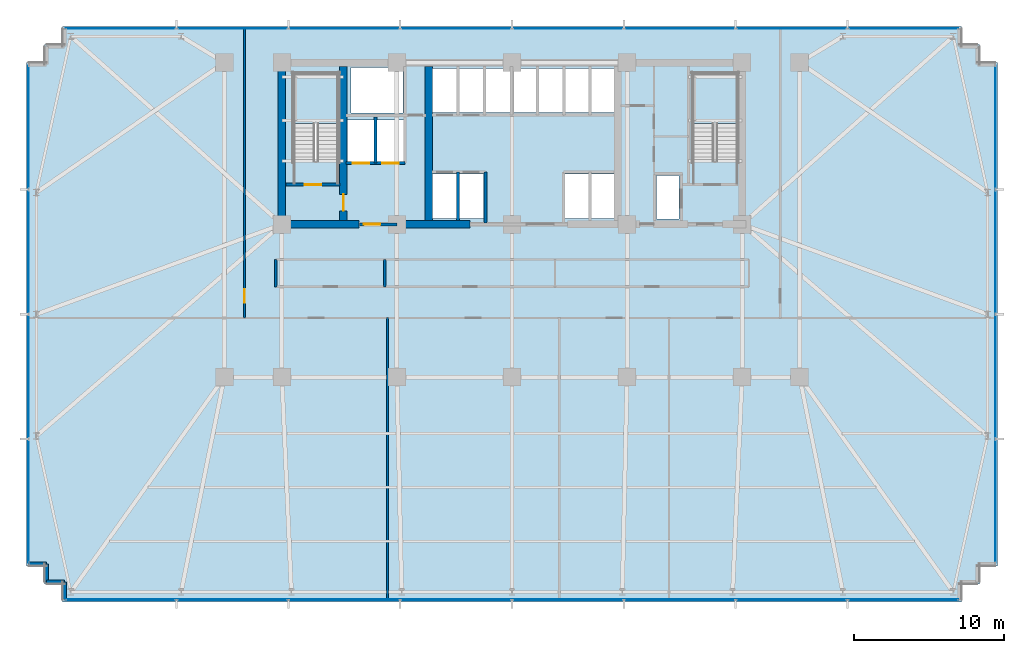
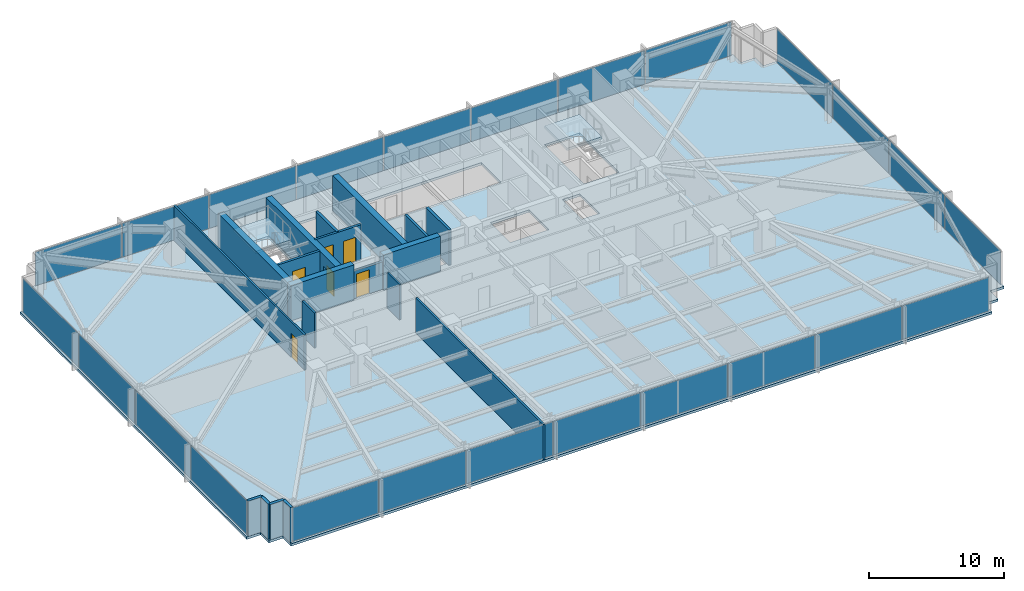
# One storey, part 24 of 32: 24 plates, 19 walls, 6 doors, 3 slabs, 6 openings, 6 elements without a shape of their own.
"""IFC4 building model written with IfcOpenShell, lengths in metres."""

from ifc_helpers import new_model, si_unit, direction, frame, frame_2d, origin, origin_2d, place, context, subcontext, project, spatial, polyline, rectangle, outline, extrude, material, layer, layer_set, type_object, element, fill, aggregate, save


model = new_model("IFC4")

# Units and contexts
model_context = context("Model", 3, precision=1e-05, world=origin(), true_north=direction((0.0, 1.0)))
body_context = subcontext(model_context, "Body", "Model", "MODEL_VIEW")
ifc_project = project(units=[si_unit("LENGTHUNIT", "METRE"), si_unit("AREAUNIT", "SQUARE_METRE"), si_unit("VOLUMEUNIT", "CUBIC_METRE"), si_unit("PLANEANGLEUNIT", "RADIAN"), si_unit("MASSUNIT", "GRAM", prefix="KILO")], contexts=[model_context])

# Site, building, storey
site_placement = place(None, origin())
site = spatial("IfcSite", under=ifc_project, at=site_placement, CompositionType="ELEMENT")
building_placement = place(site_placement, origin())
building = spatial("IfcBuilding", under=site, at=building_placement, Name="Yelkora Congress Tower", CompositionType="ELEMENT")
storey_placement = place(building_placement, frame((0.0, 0.0, 67.800048828125)))
storey = spatial("IfcBuildingStorey", under=building, at=storey_placement, Name="L17", CompositionType="ELEMENT", Elevation=67.800048828125)

# Curtain wall, plates
ifc_material_1 = material(Name="Anodised aluminium and insulated glass", Category="aluminium")
curtain_wall_type = type_object("IfcCurtainWallType", Name="CW-SYS-B1", PredefinedType="NOTDEFINED", material=ifc_material_1)
curtain_wall_1_placement = place(storey_placement, origin())
curtain_wall_1 = element("IfcCurtainWall", 1, at=curtain_wall_1_placement, inside=storey, type_object=curtain_wall_type, Name="L17 Unitised Curtain Wall 5", PredefinedType="NOTDEFINED")
ifc_material_2 = material(Name="Solar-control low-E glass unit B1", Category="glass")
ifc_layer_1 = layer(ifc_material_2, 0.0400390625)
ifc_layer_set_1 = layer_set([ifc_layer_1], Name="Solar-control low-E glass unit B1")
plate_type = type_object("IfcPlateType", Name="PLT-PN-B1", PredefinedType="CURTAIN_PANEL", material=ifc_layer_set_1)
plate_1_placement = place(storey_placement, frame((6.139892578125, 16.923828125, 0.06494140625), z_axis=(0.0, 0.0, 1.0), x_axis=(0.0, 1.0, 0.0)))
plate_1 = element("IfcPlate", 2, at=plate_1_placement, type_object=plate_type, Name="CW-B1 panel 1.1", PredefinedType="CURTAIN_PANEL", context=body_context, shape_type="SweptSolid", body=[
    extrude(rectangle(XDim=8.217529296875, YDim=0.0400390625, at=origin_2d()), origin(), (0.0, 0.0, 1.0), 3.050048828125),
])
plate_2_placement = place(storey_placement, frame((6.139892578125, 25.235107421875, 0.06494140625), z_axis=(0.0, 0.0, 1.0), x_axis=(0.0, 1.0, 0.0)))
plate_2 = element("IfcPlate", 3, at=plate_2_placement, type_object=plate_type, Name="CW-B1 panel 2.1", PredefinedType="CURTAIN_PANEL", context=body_context, shape_type="SweptSolid", body=[
    extrude(rectangle(XDim=8.2548828125, YDim=0.0400390625, at=origin_2d()), origin(), (0.0, 0.0, 1.0), 3.050048828125),
])
plate_3_placement = place(storey_placement, frame((6.139892578125, 33.56494140625, 0.06494140625), z_axis=(0.0, 0.0, 1.0), x_axis=(0.0, 1.0, 0.0)))
plate_3 = element("IfcPlate", 4, at=plate_3_placement, type_object=plate_type, Name="CW-B1 panel 3.1", PredefinedType="CURTAIN_PANEL", context=body_context, shape_type="SweptSolid", body=[
    extrude(rectangle(XDim=8.2548828125, YDim=0.0400390625, at=origin_2d()), origin(), (0.0, 0.0, 1.0), 3.050048828125),
])
plate_4_placement = place(storey_placement, frame((6.139892578125, 41.876220703125, 0.06494140625), z_axis=(0.0, 0.0, 1.0), x_axis=(0.0, 1.0, 0.0)))
plate_4 = element("IfcPlate", 5, at=plate_4_placement, type_object=plate_type, Name="CW-B1 panel 4.1", PredefinedType="CURTAIN_PANEL", context=body_context, shape_type="SweptSolid", body=[
    extrude(rectangle(XDim=8.217529296875, YDim=0.0400390625, at=origin_2d()), origin(), (0.0, 0.0, 1.0), 3.050048828125),
])
aggregate(curtain_wall_1, [plate_1, plate_2, plate_3, plate_4])

curtain_wall_2_placement = place(storey_placement, origin())
curtain_wall_2 = element("IfcCurtainWall", 6, at=curtain_wall_2_placement, inside=storey, type_object=curtain_wall_type, Name="L17 Unitised Curtain Wall 10", PredefinedType="NOTDEFINED")
plate_5_placement = place(storey_placement, frame((12.291259765625, 48.4599609375, 0.06494140625), z_axis=(0.0, 0.0, 1.0), x_axis=(1.0, 0.0, 0.0)))
plate_5 = element("IfcPlate", 7, at=plate_5_placement, type_object=plate_type, Name="CW-B1 panel 1.1", PredefinedType="CURTAIN_PANEL", context=body_context, shape_type="SweptSolid", body=[
    extrude(rectangle(XDim=7.3525390625, YDim=0.0400390625, at=origin_2d()), origin(), (0.0, 0.0, 1.0), 3.050048828125),
])
plate_6_placement = place(storey_placement, frame((19.737548828125, 48.4599609375, 0.06494140625), z_axis=(0.0, 0.0, 1.0), x_axis=(1.0, 0.0, 0.0)))
plate_6 = element("IfcPlate", 8, at=plate_6_placement, type_object=plate_type, Name="CW-B1 panel 2.1", PredefinedType="CURTAIN_PANEL", context=body_context, shape_type="SweptSolid", body=[
    extrude(rectangle(XDim=7.389892578125, YDim=0.0400390625, at=origin_2d()), origin(), (0.0, 0.0, 1.0), 3.050048828125),
])
plate_7_placement = place(storey_placement, frame((27.202392578125, 48.4599609375, 0.06494140625), z_axis=(0.0, 0.0, 1.0), x_axis=(1.0, 0.0, 0.0)))
plate_7 = element("IfcPlate", 9, at=plate_7_placement, type_object=plate_type, Name="CW-B1 panel 3.1", PredefinedType="CURTAIN_PANEL", context=body_context, shape_type="SweptSolid", body=[
    extrude(rectangle(XDim=7.389892578125, YDim=0.0400390625, at=origin_2d()), origin(), (0.0, 0.0, 1.0), 3.050048828125),
])
plate_8_placement = place(storey_placement, frame((34.66748046875, 48.4599609375, 0.06494140625), z_axis=(0.0, 0.0, 1.0), x_axis=(1.0, 0.0, 0.0)))
plate_8 = element("IfcPlate", 10, at=plate_8_placement, type_object=plate_type, Name="CW-B1 panel 4.1", PredefinedType="CURTAIN_PANEL", context=body_context, shape_type="SweptSolid", body=[
    extrude(rectangle(XDim=7.389892578125, YDim=0.0400390625, at=origin_2d()), origin(), (0.0, 0.0, 1.0), 3.050048828125),
])
plate_9_placement = place(storey_placement, frame((42.132568359375, 48.4599609375, 0.06494140625), z_axis=(0.0, 0.0, 1.0), x_axis=(1.0, 0.0, 0.0)))
plate_9 = element("IfcPlate", 11, at=plate_9_placement, type_object=plate_type, Name="CW-B1 panel 5.1", PredefinedType="CURTAIN_PANEL", context=body_context, shape_type="SweptSolid", body=[
    extrude(rectangle(XDim=7.389892578125, YDim=0.0400390625, at=origin_2d()), origin(), (0.0, 0.0, 1.0), 3.050048828125),
])
plate_10_placement = place(storey_placement, frame((49.597412109375, 48.4599609375, 0.06494140625), z_axis=(0.0, 0.0, 1.0), x_axis=(1.0, 0.0, 0.0)))
plate_10 = element("IfcPlate", 12, at=plate_10_placement, type_object=plate_type, Name="CW-B1 panel 6.1", PredefinedType="CURTAIN_PANEL", context=body_context, shape_type="SweptSolid", body=[
    extrude(rectangle(XDim=7.389892578125, YDim=0.0400390625, at=origin_2d()), origin(), (0.0, 0.0, 1.0), 3.050048828125),
])
plate_11_placement = place(storey_placement, frame((57.0625, 48.4599609375, 0.06494140625), z_axis=(0.0, 0.0, 1.0), x_axis=(1.0, 0.0, 0.0)))
plate_11 = element("IfcPlate", 13, at=plate_11_placement, type_object=plate_type, Name="CW-B1 panel 7.1", PredefinedType="CURTAIN_PANEL", context=body_context, shape_type="SweptSolid", body=[
    extrude(rectangle(XDim=7.389892578125, YDim=0.0400390625, at=origin_2d()), origin(), (0.0, 0.0, 1.0), 3.050048828125),
])
plate_12_placement = place(storey_placement, frame((64.5087890625, 48.4599609375, 0.06494140625), z_axis=(0.0, 0.0, 1.0), x_axis=(1.0, 0.0, 0.0)))
plate_12 = element("IfcPlate", 14, at=plate_12_placement, type_object=plate_type, Name="CW-B1 panel 8.1", PredefinedType="CURTAIN_PANEL", context=body_context, shape_type="SweptSolid", body=[
    extrude(rectangle(XDim=7.3525390625, YDim=0.0400390625, at=origin_2d()), origin(), (0.0, 0.0, 1.0), 3.050048828125),
])
aggregate(curtain_wall_2, [plate_5, plate_6, plate_7, plate_8, plate_9, plate_10, plate_11, plate_12])

curtain_wall_3_placement = place(storey_placement, origin())
curtain_wall_3 = element("IfcCurtainWall", 15, at=curtain_wall_3_placement, inside=storey, type_object=curtain_wall_type, Name="L17 Unitised Curtain Wall 15", PredefinedType="NOTDEFINED")
plate_13_placement = place(storey_placement, frame((70.659912109375, 41.876220703125, 0.06494140625), z_axis=(0.0, 0.0, 1.0), x_axis=(0.0, -1.0, 0.0)))
plate_13 = element("IfcPlate", 16, at=plate_13_placement, type_object=plate_type, Name="CW-B1 panel 1.1", PredefinedType="CURTAIN_PANEL", context=body_context, shape_type="SweptSolid", body=[
    extrude(rectangle(XDim=8.217529296875, YDim=0.0400390625, at=origin_2d()), origin(), (0.0, 0.0, 1.0), 3.050048828125),
])
plate_14_placement = place(storey_placement, frame((70.659912109375, 33.56494140625, 0.06494140625), z_axis=(0.0, 0.0, 1.0), x_axis=(0.0, -1.0, 0.0)))
plate_14 = element("IfcPlate", 17, at=plate_14_placement, type_object=plate_type, Name="CW-B1 panel 2.1", PredefinedType="CURTAIN_PANEL", context=body_context, shape_type="SweptSolid", body=[
    extrude(rectangle(XDim=8.2548828125, YDim=0.0400390625, at=origin_2d()), origin(), (0.0, 0.0, 1.0), 3.050048828125),
])
plate_15_placement = place(storey_placement, frame((70.659912109375, 25.235107421875, 0.06494140625), z_axis=(0.0, 0.0, 1.0), x_axis=(0.0, -1.0, 0.0)))
plate_15 = element("IfcPlate", 18, at=plate_15_placement, type_object=plate_type, Name="CW-B1 panel 3.1", PredefinedType="CURTAIN_PANEL", context=body_context, shape_type="SweptSolid", body=[
    extrude(rectangle(XDim=8.2548828125, YDim=0.0400390625, at=origin_2d()), origin(), (0.0, 0.0, 1.0), 3.050048828125),
])
plate_16_placement = place(storey_placement, frame((70.659912109375, 16.923828125, 0.06494140625), z_axis=(0.0, 0.0, 1.0), x_axis=(0.0, -1.0, 0.0)))
plate_16 = element("IfcPlate", 19, at=plate_16_placement, type_object=plate_type, Name="CW-B1 panel 4.1", PredefinedType="CURTAIN_PANEL", context=body_context, shape_type="SweptSolid", body=[
    extrude(rectangle(XDim=8.217529296875, YDim=0.0400390625, at=origin_2d()), origin(), (0.0, 0.0, 1.0), 3.050048828125),
])
aggregate(curtain_wall_3, [plate_13, plate_14, plate_15, plate_16])

curtain_wall_4_placement = place(storey_placement, origin())
curtain_wall_4 = element("IfcCurtainWall", 20, at=curtain_wall_4_placement, inside=storey, type_object=curtain_wall_type, Name="L17 Unitised Curtain Wall 20", PredefinedType="NOTDEFINED")
plate_17_placement = place(storey_placement, frame((64.5087890625, 10.340087890625, 0.06494140625), z_axis=(0.0, 0.0, 1.0), x_axis=(-1.0, 0.0, 0.0)))
plate_17 = element("IfcPlate", 21, at=plate_17_placement, type_object=plate_type, Name="CW-B1 panel 1.1", PredefinedType="CURTAIN_PANEL", context=body_context, shape_type="SweptSolid", body=[
    extrude(rectangle(XDim=7.3525390625, YDim=0.0400390625, at=origin_2d()), origin(), (0.0, 0.0, 1.0), 3.050048828125),
])
plate_18_placement = place(storey_placement, frame((57.0625, 10.340087890625, 0.06494140625), z_axis=(0.0, 0.0, 1.0), x_axis=(-1.0, 0.0, 0.0)))
plate_18 = element("IfcPlate", 22, at=plate_18_placement, type_object=plate_type, Name="CW-B1 panel 2.1", PredefinedType="CURTAIN_PANEL", context=body_context, shape_type="SweptSolid", body=[
    extrude(rectangle(XDim=7.389892578125, YDim=0.0400390625, at=origin_2d()), origin(), (0.0, 0.0, 1.0), 3.050048828125),
])
plate_19_placement = place(storey_placement, frame((49.597412109375, 10.340087890625, 0.06494140625), z_axis=(0.0, 0.0, 1.0), x_axis=(-1.0, 0.0, 0.0)))
plate_19 = element("IfcPlate", 23, at=plate_19_placement, type_object=plate_type, Name="CW-B1 panel 3.1", PredefinedType="CURTAIN_PANEL", context=body_context, shape_type="SweptSolid", body=[
    extrude(rectangle(XDim=7.389892578125, YDim=0.0400390625, at=origin_2d()), origin(), (0.0, 0.0, 1.0), 3.050048828125),
])
plate_20_placement = place(storey_placement, frame((42.132568359375, 10.340087890625, 0.06494140625), z_axis=(0.0, 0.0, 1.0), x_axis=(-1.0, 0.0, 0.0)))
plate_20 = element("IfcPlate", 24, at=plate_20_placement, type_object=plate_type, Name="CW-B1 panel 4.1", PredefinedType="CURTAIN_PANEL", context=body_context, shape_type="SweptSolid", body=[
    extrude(rectangle(XDim=7.389892578125, YDim=0.0400390625, at=origin_2d()), origin(), (0.0, 0.0, 1.0), 3.050048828125),
])
plate_21_placement = place(storey_placement, frame((34.66748046875, 10.340087890625, 0.06494140625), z_axis=(0.0, 0.0, 1.0), x_axis=(-1.0, 0.0, 0.0)))
plate_21 = element("IfcPlate", 25, at=plate_21_placement, type_object=plate_type, Name="CW-B1 panel 5.1", PredefinedType="CURTAIN_PANEL", context=body_context, shape_type="SweptSolid", body=[
    extrude(rectangle(XDim=7.389892578125, YDim=0.0400390625, at=origin_2d()), origin(), (0.0, 0.0, 1.0), 3.050048828125),
])
plate_22_placement = place(storey_placement, frame((27.202392578125, 10.340087890625, 0.06494140625), z_axis=(0.0, 0.0, 1.0), x_axis=(-1.0, 0.0, 0.0)))
plate_22 = element("IfcPlate", 26, at=plate_22_placement, type_object=plate_type, Name="CW-B1 panel 6.1", PredefinedType="CURTAIN_PANEL", context=body_context, shape_type="SweptSolid", body=[
    extrude(rectangle(XDim=7.389892578125, YDim=0.0400390625, at=origin_2d()), origin(), (0.0, 0.0, 1.0), 3.050048828125),
])
plate_23_placement = place(storey_placement, frame((19.737548828125, 10.340087890625, 0.06494140625), z_axis=(0.0, 0.0, 1.0), x_axis=(-1.0, 0.0, 0.0)))
plate_23 = element("IfcPlate", 27, at=plate_23_placement, type_object=plate_type, Name="CW-B1 panel 7.1", PredefinedType="CURTAIN_PANEL", context=body_context, shape_type="SweptSolid", body=[
    extrude(rectangle(XDim=7.389892578125, YDim=0.0400390625, at=origin_2d()), origin(), (0.0, 0.0, 1.0), 3.050048828125),
])
plate_24_placement = place(storey_placement, frame((12.291259765625, 10.340087890625, 0.06494140625), z_axis=(0.0, 0.0, 1.0), x_axis=(-1.0, 0.0, 0.0)))
plate_24 = element("IfcPlate", 28, at=plate_24_placement, type_object=plate_type, Name="CW-B1 panel 8.1", PredefinedType="CURTAIN_PANEL", context=body_context, shape_type="SweptSolid", body=[
    extrude(rectangle(XDim=7.3525390625, YDim=0.0400390625, at=origin_2d()), origin(), (0.0, 0.0, 1.0), 3.050048828125),
])
aggregate(curtain_wall_4, [plate_17, plate_18, plate_19, plate_20, plate_21, plate_22, plate_23, plate_24])

# Stair, slab
ifc_material_3 = material(Name="Concrete C40/50", Category="concrete")
stair_type = type_object("IfcStairType", Name="STAIR-HT-1420-R20-170", PredefinedType="HALF_TURN_STAIR", material=ifc_material_3)
stair_1_placement = place(storey_placement, origin())
stair_1 = element("IfcStair", 29, at=stair_1_placement, inside=storey, type_object=stair_type, Name="West Core Protected Exit Stair ST-01 (L17)", PredefinedType="HALF_TURN_STAIR")
ifc_layer_2 = layer(ifc_material_3, 0.219970703125)
ifc_layer_set_2 = layer_set([ifc_layer_2], Name="Concrete C40/50")
slab_type_1 = type_object("IfcSlabType", Name="SLAB-LANDING-220", PredefinedType="LANDING", material=ifc_layer_set_2)
slab_1_placement = place(storey_placement, frame((0.0, 0.0, 1.47998046875)))
slab_1 = element("IfcSlab", 30, at=slab_1_placement, type_object=slab_type_1, Name="ST-01 L17 Half Landing 1", PredefinedType="LANDING", context=body_context, shape_type="SweptSolid", body=[
    extrude(outline(polyline([(26.820068359375, 42.1201171875), (26.820068359375, 45.469970703125), (23.820068359375, 45.469970703125), (23.820068359375, 42.1201171875), (26.820068359375, 42.1201171875)])), origin(), (0.0, 0.0, 1.0), 0.219970703125),
])
aggregate(stair_1, [slab_1])

stair_2_placement = place(storey_placement, origin())
stair_2 = element("IfcStair", 31, at=stair_2_placement, inside=storey, type_object=stair_type, Name="East Core Protected Exit Stair ST-02 (L17)", PredefinedType="HALF_TURN_STAIR")
slab_2_placement = place(storey_placement, frame((0.0, 0.0, 1.47998046875)))
slab_2 = element("IfcSlab", 32, at=slab_2_placement, type_object=slab_type_1, Name="ST-02 L17 Half Landing 1", PredefinedType="LANDING", context=body_context, shape_type="SweptSolid", body=[
    extrude(outline(polyline([(53.4599609375, 42.1201171875), (53.4599609375, 45.469970703125), (50.4599609375, 45.469970703125), (50.4599609375, 42.1201171875), (53.4599609375, 42.1201171875)])), origin(), (0.0, 0.0, 1.0), 0.219970703125),
])
aggregate(stair_2, [slab_2])

# Slab
ifc_layer_3 = layer(ifc_material_3, 0.219970703125)
ifc_layer_set_3 = layer_set([ifc_layer_3], Name="Concrete C40/50")
slab_type_2 = type_object("IfcSlabType", Name="SLAB-TWR-220", PredefinedType="FLOOR", material=ifc_layer_set_3)
slab_3_placement = place(storey_placement, frame((0.0, 0.0, -0.219970703125)))
element("IfcSlab", 33, at=slab_3_placement, inside=storey, type_object=slab_type_2, Name="L17 Structural Floor Slab", PredefinedType="FLOOR", context=body_context, shape_type="SweptSolid", body=[
    extrude(outline(polyline([(8.39990234375, 10.199951171875), (68.39990234375, 10.199951171875), (68.39990234375, 11.39990234375), (69.60009765625, 11.39990234375), (69.60009765625, 12.60009765625), (70.800048828125, 12.60009765625), (70.800048828125, 46.199951171875), (69.60009765625, 46.199951171875), (69.60009765625, 47.39990234375), (68.39990234375, 47.39990234375), (68.39990234375, 48.60009765625), (8.39990234375, 48.60009765625), (8.39990234375, 47.39990234375), (7.199951171875, 47.39990234375), (7.199951171875, 46.199951171875), (6.0, 46.199951171875), (6.0, 12.60009765625), (7.199951171875, 12.60009765625), (7.199951171875, 11.39990234375), (8.39990234375, 11.39990234375), (8.39990234375, 10.199951171875)]), holes=[polyline([(23.820068359375, 39.6298828125), (26.820068359375, 39.6298828125), (26.820068359375, 45.469970703125), (23.820068359375, 45.469970703125), (23.820068359375, 39.6298828125)]), polyline([(50.4599609375, 39.6298828125), (53.4599609375, 39.6298828125), (53.4599609375, 45.469970703125), (50.4599609375, 45.469970703125), (50.4599609375, 39.6298828125)]), polyline([(48.050048828125, 35.75), (49.550048828125, 35.75), (49.550048828125, 38.64990234375), (48.050048828125, 38.64990234375), (48.050048828125, 35.75)]), polyline([(41.949951171875, 35.800048828125), (45.25, 35.800048828125), (45.25, 38.75), (41.949951171875, 38.75), (41.949951171875, 35.800048828125)]), polyline([(33.10009765625, 42.85009765625), (45.25, 42.85009765625), (45.25, 45.800048828125), (33.10009765625, 45.800048828125), (33.10009765625, 42.85009765625)]), polyline([(33.10009765625, 35.800048828125), (36.5, 35.800048828125), (36.5, 38.75), (33.10009765625, 38.75), (33.10009765625, 35.800048828125)]), polyline([(27.419921875, 39.60009765625), (31.179931640625, 39.60009765625), (31.179931640625, 42.35009765625), (27.419921875, 42.35009765625), (27.419921875, 39.60009765625)]), polyline([(27.64990234375, 42.820068359375), (31.1201171875, 42.820068359375), (31.1201171875, 45.8798828125), (27.64990234375, 45.8798828125), (27.64990234375, 42.820068359375)])]), origin(), (0.0, 0.0, 1.0), 0.219970703125),
])

# Walls
ifc_material_4 = material(Name="Concrete C60/75", Category="concrete")
ifc_layer_4 = layer(ifc_material_4, 0.5)
ifc_layer_set_4 = layer_set([ifc_layer_4], Name="Concrete C60/75")
wall_type_1 = type_object("IfcWallType", Name="WALL-CORE-INT-500", PredefinedType="SHEAR", material=ifc_layer_set_4)
wall_1_placement = place(storey_placement, frame((22.7900390625, 35.39990234375, 0.0), z_axis=(0.0, 0.0, 1.0), x_axis=(1.0, 0.0, 0.0)))
element("IfcWall", 34, at=wall_1_placement, inside=storey, type_object=wall_type_1, Name="L17 Rear Core South-West Shear Wall", PredefinedType="SHEAR", context=body_context, shape_type="SweptSolid", body=[
    extrude(rectangle(XDim=5.409912109375, YDim=0.5, at=frame_2d((2.705078125, 0.0))), origin(), (0.0, 0.0, 1.0), 3.179931640625),
])
wall_2_placement = place(storey_placement, frame((30.719970703125, 35.39990234375, 0.0), z_axis=(0.0, 0.0, 1.0), x_axis=(1.0, 0.0, 0.0)))
element("IfcWall", 35, at=wall_2_placement, inside=storey, type_object=wall_type_1, Name="L17 Rear Core South-Center Shear Pier", PredefinedType="SHEAR", context=body_context, shape_type="SweptSolid", body=[
    extrude(rectangle(XDim=4.880126953125, YDim=0.5, at=frame_2d((2.43994140625, 0.0))), origin(), (0.0, 0.0, 1.0), 3.179931640625),
])
wall_3_placement = place(storey_placement, frame((23.0400390625, 35.64990234375, 0.0), z_axis=(0.0, 0.0, 1.0), x_axis=(0.0, 1.0, 0.0)))
element("IfcWall", 36, at=wall_3_placement, inside=storey, type_object=wall_type_1, Name="L17 Rear Core Cross Shear Wall W", PredefinedType="SHEAR", context=body_context, shape_type="SweptSolid", body=[
    extrude(rectangle(XDim=10.300048828125, YDim=0.5, at=frame_2d((5.14990234375, 0.0))), origin(), (0.0, 0.0, 1.0), 3.179931640625),
])

# Wall, opening, door
wall_4_placement = place(storey_placement, frame((27.14990234375, 35.64990234375, 0.0), z_axis=(0.0, 0.0, 1.0), x_axis=(0.0, 1.0, 0.0)))
wall_4 = element("IfcWall", 37, at=wall_4_placement, inside=storey, type_object=wall_type_1, Name="L17 Rear Core Cross Shear Wall C1", PredefinedType="SHEAR", context=body_context, shape_type="SweptSolid", body=[
    extrude(rectangle(XDim=10.300048828125, YDim=0.5, at=frame_2d((5.14990234375, 0.0))), origin(), (0.0, 0.0, 1.0), 3.179931640625),
])
opening_1_placement = place(wall_4_placement, frame((0.64990234375, 0.0, 0.0)))
opening_1 = element("IfcOpeningElement", 38, at=opening_1_placement, cuts=wall_4, Name="Opening DR-110F9", PredefinedType="OPENING", context=body_context, shape_type="SweptSolid", body=[
    extrude(rectangle(XDim=1.10009765625, YDim=2.14990234375, at=frame_2d((0.550048828125, 1.074951171875))), frame((0.0, 0.260009765625, 0.0), z_axis=(0.0, -1.0, 0.0), x_axis=(1.0, 0.0, 0.0)), (0.0, 0.0, 1.0), 0.52001953125),
])
ifc_material_5 = material(Name="Galvanised steel fire door leaf", Category="steel")
door_type_1 = type_object("IfcDoorType", Name="DOOR-FD90-1100", OperationType="NOTDEFINED", PredefinedType="DOOR", material=ifc_material_5)
door_1_placement = place(opening_1_placement, origin())
door_1 = element("IfcDoor", 39, at=door_1_placement, inside=storey, type_object=door_type_1, Name="L17 Firefighting Stair Transfer Door", OperationType="SINGLE_SWING_LEFT", OverallHeight=2.14990234375, OverallWidth=1.10009765625, PredefinedType="DOOR", context=body_context, shape_type="SweptSolid", body=[
    extrude(rectangle(XDim=1.10009765625, YDim=2.14990234375, at=frame_2d((0.550048828125, 1.074951171875))), frame((0.0, 0.02490234375, 0.0), z_axis=(0.0, -1.0, 0.0), x_axis=(1.0, 0.0, 0.0)), (0.0, 0.0, 1.0), 0.050048828125),
])
fill(opening_1, door_1)

# Walls
wall_5_placement = place(storey_placement, frame((32.85009765625, 35.64990234375, 0.0), z_axis=(0.0, 0.0, 1.0), x_axis=(0.0, 1.0, 0.0)))
element("IfcWall", 40, at=wall_5_placement, inside=storey, type_object=wall_type_1, Name="L17 Rear Core Cross Shear Wall C2", PredefinedType="SHEAR", context=body_context, shape_type="SweptSolid", body=[
    extrude(rectangle(XDim=10.300048828125, YDim=0.5, at=frame_2d((5.14990234375, 0.0))), origin(), (0.0, 0.0, 1.0), 3.179931640625),
])
ifc_layer_5 = layer(ifc_material_3, 0.239990234375)
ifc_layer_set_5 = layer_set([ifc_layer_5], Name="Concrete C40/50")
wall_type_2 = type_object("IfcWallType", Name="WALL-EXT-LIMESTONE-240", PredefinedType="SOLIDWALL", material=ifc_layer_set_5)
for number, where, z_axis, x_axis, name in (
    (41, (8.5400390625, 10.340087890625, 0.0), (0.0, 0.0, 1.0), (0.0, 1.0, 0.0), "L17 Serrated Corner Limestone Pier 1"),
    (42, (8.5400390625, 11.5400390625, 0.0), (0.0, 0.0, 1.0), (-1.0, 0.0, 0.0), "L17 Serrated Corner Limestone Pier 2"),
    (43, (7.340087890625, 11.5400390625, 0.0), (0.0, 0.0, 1.0), (0.0, 1.0, 0.0), "L17 Serrated Corner Limestone Pier 3"),
):
    element("IfcWall", number, at=place(storey_placement, frame(where, z_axis=z_axis, x_axis=x_axis)), inside=storey, type_object=wall_type_2, Name=name, PredefinedType="SOLIDWALL", context=body_context, shape_type="SweptSolid", body=[
        extrude(rectangle(XDim=1.199951171875, YDim=0.239990234375, at=frame_2d((0.60009765625, 0.0))), origin(), (0.0, 0.0, 1.0), 3.179931640625),
    ])
wall_6_placement = place(storey_placement, frame((7.340087890625, 12.739990234375, 0.0), z_axis=(0.0, 0.0, 1.0), x_axis=(-1.0, 0.0, 0.0)))
element("IfcWall", 44, at=wall_6_placement, inside=storey, type_object=wall_type_2, Name="L17 Serrated Corner Limestone Pier 4", PredefinedType="SOLIDWALL", context=body_context, shape_type="SweptSolid", body=[
    extrude(rectangle(XDim=1.2001953125, YDim=0.239990234375, at=frame_2d((0.60009765625, 0.0))), origin(), (0.0, 0.0, 1.0), 3.179931640625),
])
ifc_material_6 = material(Name="Acoustic metal-stud gypsum partition", Category="gypsum")
ifc_layer_6 = layer(ifc_material_6, 0.14990234375)
ifc_layer_set_6 = layer_set([ifc_layer_6], Name="Acoustic metal-stud gypsum partition")
wall_type_3 = type_object("IfcWallType", Name="WALL-INT-150-NR", PredefinedType="PARTITIONING", material=ifc_layer_set_6)
wall_7_placement = place(storey_placement, frame((30.092041015625, 10.280029296875, 0.0), z_axis=(0.0, 0.0, 1.0), x_axis=(0.0, 1.0, 0.0)))
element("IfcWall", 45, at=wall_7_placement, inside=storey, type_object=wall_type_3, Name="L17 Partition Wall 31", PredefinedType="PARTITIONING", context=body_context, shape_type="SweptSolid", body=[
    extrude(rectangle(XDim=18.889892578125, YDim=0.14990234375, at=frame_2d((9.44482421875, 0.0))), origin(), (0.0, 0.0, 1.0), 3.179931640625),
])

# Wall, opening, door
wall_8_placement = place(storey_placement, frame((20.550048828125, 29.14990234375, 0.0), z_axis=(0.0, 0.0, 1.0), x_axis=(0.0, 1.0, 0.0)))
wall_8 = element("IfcWall", 46, at=wall_8_placement, inside=storey, type_object=wall_type_3, Name="L17 Partition Wall 35", PredefinedType="PARTITIONING", context=body_context, shape_type="SweptSolid", body=[
    extrude(rectangle(XDim=19.3701171875, YDim=0.14990234375, at=frame_2d((9.68505859375, 0.0))), origin(), (0.0, 0.0, 1.0), 3.179931640625),
])
opening_2_placement = place(wall_8_placement, frame((1.030029296875, 0.0, 0.0)))
opening_2 = element("IfcOpeningElement", 47, at=opening_2_placement, cuts=wall_8, Name="Opening DR-090N", PredefinedType="OPENING", context=body_context, shape_type="SweptSolid", body=[
    extrude(rectangle(XDim=0.89990234375, YDim=2.14990234375, at=frame_2d((0.449951171875, 1.074951171875))), frame((0.0, 0.0849609375, 0.0), z_axis=(0.0, -1.0, 0.0), x_axis=(1.0, 0.0, 0.0)), (0.0, 0.0, 1.0), 0.169921875),
])
ifc_material_7 = material(Name="Moisture-resistant laminate door leaf", Category="wood")
door_type_2 = type_object("IfcDoorType", Name="DOOR-INT-900", OperationType="NOTDEFINED", PredefinedType="DOOR", material=ifc_material_7)
door_2_placement = place(opening_2_placement, origin())
door_2 = element("IfcDoor", 48, at=door_2_placement, inside=storey, type_object=door_type_2, Name="L17 W Wing Door", OperationType="SINGLE_SWING_LEFT", OverallHeight=2.14990234375, OverallWidth=0.89990234375, PredefinedType="DOOR", context=body_context, shape_type="SweptSolid", body=[
    extrude(rectangle(XDim=0.89990234375, YDim=2.14990234375, at=frame_2d((0.449951171875, 1.074951171875))), frame((0.0, 0.02490234375, 0.0), z_axis=(0.0, -1.0, 0.0), x_axis=(1.0, 0.0, 0.0)), (0.0, 0.0, 1.0), 0.050048828125),
])
fill(opening_2, door_2)

# Walls
for number, where, z_axis, x_axis, name in (
    (49, (22.6298828125, 31.22998046875, 0.0), (0.0, 0.0, 1.0), (0.0, 1.0, 0.0), "L17 Partition Wall 37"),
    (50, (29.90087890625, 31.22998046875, 0.0), (0.0, 0.0, 1.0), (0.0, 1.0, 0.0), "L17 Partition Wall 40"),
):
    element("IfcWall", number, at=place(storey_placement, frame(where, z_axis=z_axis, x_axis=x_axis)), inside=storey, type_object=wall_type_3, Name=name, PredefinedType="PARTITIONING", context=body_context, shape_type="SweptSolid", body=[
        extrude(rectangle(XDim=1.820068359375, YDim=0.14990234375, at=frame_2d((0.91015625, 0.0))), origin(), (0.0, 0.0, 1.0), 3.179931640625),
    ])

# Wall, opening, door
ifc_material_8 = material(Name="Autoclaved aerated concrete blockwork", Category="masonry")
ifc_layer_7 = layer(ifc_material_8, 0.199951171875)
ifc_layer_set_7 = layer_set([ifc_layer_7], Name="Autoclaved aerated concrete blockwork")
wall_type_4 = type_object("IfcWallType", Name="WALL-INT-200-R120", PredefinedType="PARTITIONING", material=ifc_layer_set_7)
wall_9_placement = place(storey_placement, frame((23.300048828125, 38.050048828125, 0.0), z_axis=(0.0, 0.0, 1.0), x_axis=(1.0, 0.0, 0.0)))
wall_9 = element("IfcWall", 51, at=wall_9_placement, inside=storey, type_object=wall_type_4, Name="L17 Stair ST-01 Enclosure Wall", PredefinedType="PARTITIONING", context=body_context, shape_type="SweptSolid", body=[
    extrude(rectangle(XDim=3.619873046875, YDim=0.199951171875, at=frame_2d((1.81005859375, 0.0))), origin(), (0.0, 0.0, 1.0), 3.179931640625),
])
opening_3_placement = place(wall_9_placement, frame((1.260009765625, 0.0, 0.0)))
opening_3 = element("IfcOpeningElement", 52, at=opening_3_placement, cuts=wall_9, Name="Opening DR-110F9", PredefinedType="OPENING", context=body_context, shape_type="SweptSolid", body=[
    extrude(rectangle(XDim=1.10009765625, YDim=2.14990234375, at=frame_2d((0.550048828125, 1.074951171875))), frame((0.0, 0.10986328125, 0.0), z_axis=(0.0, -1.0, 0.0), x_axis=(1.0, 0.0, 0.0)), (0.0, 0.0, 1.0), 0.219970703125),
])
door_3_placement = place(opening_3_placement, origin())
door_3 = element("IfcDoor", 53, at=door_3_placement, inside=storey, type_object=door_type_1, Name="L17 Stair ST-01 Entry Door", OperationType="SINGLE_SWING_LEFT", OverallHeight=2.14990234375, OverallWidth=1.10009765625, PredefinedType="DOOR", context=body_context, shape_type="SweptSolid", body=[
    extrude(rectangle(XDim=1.10009765625, YDim=2.14990234375, at=frame_2d((0.550048828125, 1.074951171875))), frame((0.0, 0.02490234375, 0.0), z_axis=(0.0, -1.0, 0.0), x_axis=(1.0, 0.0, 0.0)), (0.0, 0.0, 1.0), 0.050048828125),
])
fill(opening_3, door_3)

wall_10_placement = place(storey_placement, frame((28.219970703125, 35.39990234375, 0.0), z_axis=(0.0, 0.0, 1.0), x_axis=(1.0, 0.0, 0.0)))
wall_10 = element("IfcWall", 54, at=wall_10_placement, inside=storey, type_object=wall_type_4, Name="L17 Firefighting Lobby South Wall", PredefinedType="PARTITIONING", context=body_context, shape_type="SweptSolid", body=[
    extrude(rectangle(XDim=2.5, YDim=0.199951171875, at=frame_2d((1.25, 0.0))), origin(), (0.0, 0.0, 1.0), 2.474853515625),
])
opening_4_placement = place(wall_10_placement, frame((0.300048828125, 0.0, 0.0)))
opening_4 = element("IfcOpeningElement", 55, at=opening_4_placement, cuts=wall_10, Name="Opening DR-110F9", PredefinedType="OPENING", context=body_context, shape_type="SweptSolid", body=[
    extrude(rectangle(XDim=1.10009765625, YDim=2.14990234375, at=frame_2d((0.550048828125, 1.074951171875))), frame((0.0, 0.10986328125, 0.0), z_axis=(0.0, -1.0, 0.0), x_axis=(1.0, 0.0, 0.0)), (0.0, 0.0, 1.0), 0.219970703125),
])
door_4_placement = place(opening_4_placement, origin())
door_4 = element("IfcDoor", 56, at=door_4_placement, inside=storey, type_object=door_type_1, Name="L17 Firefighting Lobby Corridor Door", OperationType="SINGLE_SWING_RIGHT", OverallHeight=2.14990234375, OverallWidth=1.10009765625, PredefinedType="DOOR", context=body_context, shape_type="SweptSolid", body=[
    extrude(rectangle(XDim=1.10009765625, YDim=2.14990234375, at=frame_2d((0.550048828125, 1.074951171875))), frame((0.0, 0.02490234375, 0.0), z_axis=(0.0, -1.0, 0.0), x_axis=(1.0, 0.0, 0.0)), (0.0, 0.0, 1.0), 0.050048828125),
])
fill(opening_4, door_4)

# Wall, openings, doors
wall_11_placement = place(storey_placement, frame((27.320068359375, 39.47998046875, 0.0), z_axis=(0.0, 0.0, 1.0), x_axis=(1.0, 0.0, 0.0)))
wall_11 = element("IfcWall", 57, at=wall_11_placement, inside=storey, type_object=wall_type_4, Name="L17 Firefighting Lift Front Wall", PredefinedType="PARTITIONING", context=body_context, shape_type="SweptSolid", body=[
    extrude(rectangle(XDim=3.93994140625, YDim=0.199951171875, at=frame_2d((1.969970703125, 0.0))), origin(), (0.0, 0.0, 1.0), 3.179931640625),
])
opening_5_placement = place(wall_11_placement, frame((0.449951171875, 0.0, 0.0)))
opening_5 = element("IfcOpeningElement", 58, at=opening_5_placement, cuts=wall_11, Name="Opening LD-FF11", PredefinedType="OPENING", context=body_context, shape_type="SweptSolid", body=[
    extrude(rectangle(XDim=1.10009765625, YDim=2.199951171875, at=frame_2d((0.550048828125, 1.10009765625))), frame((0.0, 0.10986328125, 0.0), z_axis=(0.0, -1.0, 0.0), x_axis=(1.0, 0.0, 0.0)), (0.0, 0.0, 1.0), 0.219970703125),
])
opening_6_placement = place(wall_11_placement, frame((2.409912109375, 0.0, 0.0)))
opening_6 = element("IfcOpeningElement", 59, at=opening_6_placement, cuts=wall_11, Name="Opening LD-FF11", PredefinedType="OPENING", context=body_context, shape_type="SweptSolid", body=[
    extrude(rectangle(XDim=1.10009765625, YDim=2.199951171875, at=frame_2d((0.550048828125, 1.10009765625))), frame((0.0, 0.10986328125, 0.0), z_axis=(0.0, -1.0, 0.0), x_axis=(1.0, 0.0, 0.0)), (0.0, 0.0, 1.0), 0.219970703125),
])
ifc_material_9 = material(Name="Brushed stainless steel 316L landing door", Category="steel")
door_type_3 = type_object("IfcDoorType", Name="DOOR-LIFT-FF-1100", OperationType="DOUBLE_DOOR_SLIDING", PredefinedType="DOOR", material=ifc_material_9)
door_5_placement = place(opening_5_placement, origin())
door_5 = element("IfcDoor", 60, at=door_5_placement, inside=storey, type_object=door_type_3, Name="Lift Landing Door LF-FF1 L17", OperationType="DOUBLE_DOOR_SLIDING", OverallHeight=2.199951171875, OverallWidth=1.10009765625, PredefinedType="DOOR", context=body_context, shape_type="SweptSolid", body=[
    extrude(rectangle(XDim=1.10009765625, YDim=2.199951171875, at=frame_2d((0.550048828125, 1.10009765625))), frame((0.0, 0.02490234375, 0.0), z_axis=(0.0, -1.0, 0.0), x_axis=(1.0, 0.0, 0.0)), (0.0, 0.0, 1.0), 0.050048828125),
])
fill(opening_5, door_5)
door_6_placement = place(opening_6_placement, origin())
door_6 = element("IfcDoor", 61, at=door_6_placement, inside=storey, type_object=door_type_3, Name="Lift Landing Door LF-FF2 L17", OperationType="DOUBLE_DOOR_SLIDING", OverallHeight=2.199951171875, OverallWidth=1.10009765625, PredefinedType="DOOR", context=body_context, shape_type="SweptSolid", body=[
    extrude(rectangle(XDim=1.10009765625, YDim=2.199951171875, at=frame_2d((0.550048828125, 1.10009765625))), frame((0.0, 0.02490234375, 0.0), z_axis=(0.0, -1.0, 0.0), x_axis=(1.0, 0.0, 0.0)), (0.0, 0.0, 1.0), 0.050048828125),
])
fill(opening_6, door_6)

# Walls
wall_12_placement = place(storey_placement, frame((29.300048828125, 39.47998046875, 0.0), z_axis=(0.0, 0.0, 1.0), x_axis=(0.0, 1.0, 0.0)))
element("IfcWall", 62, at=wall_12_placement, inside=storey, type_object=wall_type_4, Name="L17 Partition Wall 4", PredefinedType="PARTITIONING", context=body_context, shape_type="SweptSolid", body=[
    extrude(rectangle(XDim=3.070068359375, YDim=0.199951171875, at=frame_2d((1.53515625, 0.0))), origin(), (0.0, 0.0, 1.0), 3.179931640625),
])
wall_13_placement = place(storey_placement, frame((34.800048828125, 35.64990234375, 0.0), z_axis=(0.0, 0.0, 1.0), x_axis=(0.0, 1.0, 0.0)))
element("IfcWall", 63, at=wall_13_placement, inside=storey, type_object=wall_type_4, Name="L17 Partition Wall 13", PredefinedType="PARTITIONING", context=body_context, shape_type="SweptSolid", body=[
    extrude(rectangle(XDim=3.25, YDim=0.199951171875, at=frame_2d((1.625, 0.0))), origin(), (0.0, 0.0, 1.0), 3.179931640625),
])
wall_14_placement = place(storey_placement, frame((36.6201171875, 35.5, 0.0), z_axis=(0.0, 0.0, 1.0), x_axis=(0.0, 1.0, 0.0)))
element("IfcWall", 64, at=wall_14_placement, inside=storey, type_object=wall_type_4, Name="L17 Partition Wall 15", PredefinedType="PARTITIONING", context=body_context, shape_type="SweptSolid", body=[
    extrude(rectangle(XDim=3.39990234375, YDim=0.199951171875, at=frame_2d((1.699951171875, 0.0))), origin(), (0.0, 0.0, 1.0), 3.179931640625),
])

save(model, "model.ifc")
